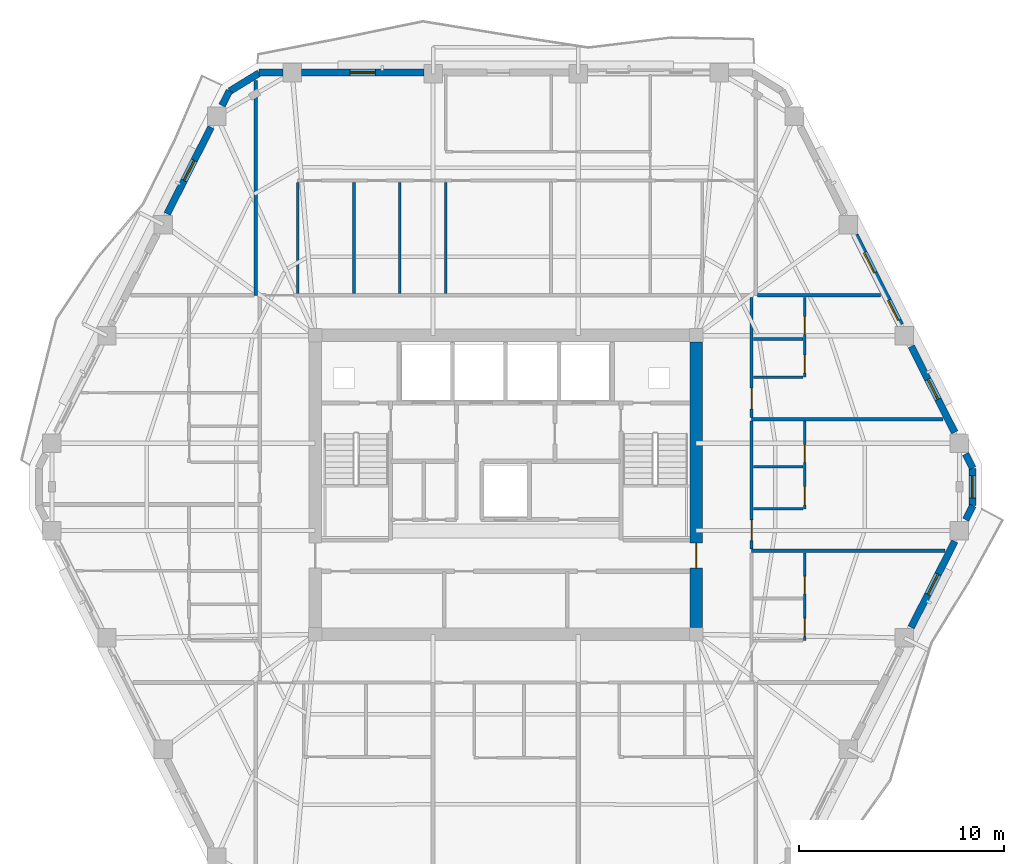
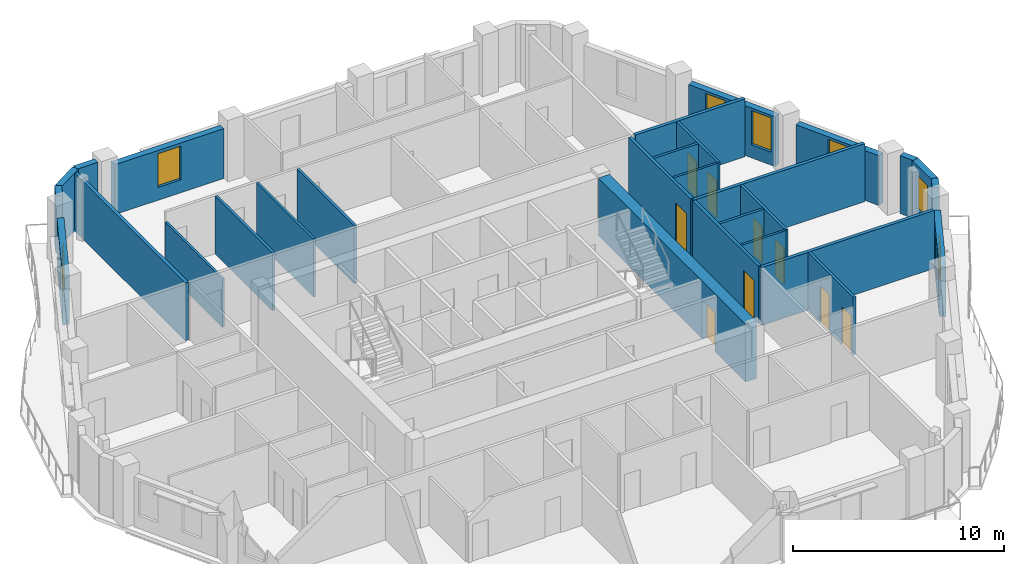
# One storey, part 7 of 12: 29 walls, 9 doors, 7 windows, 16 openings.
"""IFC4 building model written with IfcOpenShell, lengths in metres."""

import ifcopenshell
import ifcopenshell.guid

model = None  # the IFC model being written
_history = None  # IfcOwnerHistory: only IFC2X3 demands one
_inside = {}  # id of a spatial element -> (the spatial element, [elements in it])
_under = {}  # id of a project, library or spatial element -> (it, [spatial elements below it])
_declared = {}  # id of a project -> (the project, [libraries it declares])
_typed = {}  # id of a type object -> (the type object, [elements of that type])
_made_of = {}  # id of a material, layer set ... -> (it, [elements and type objects made of it])


def new_model(schema):
    """Start an empty IFC model of exactly this schema.

    Asked for "IFC4X3", IfcOpenShell would pick the latest addendum, in which some entities
    have other attributes; the version numbers below select the first issue.
    IFC2X3 requires an IfcOwnerHistory on every rooted entity: one is made here for all.
    """
    global model, _history
    if schema == "IFC4X3":
        model = ifcopenshell.file(schema_version=(4, 3, 0, 0))
    else:
        model = ifcopenshell.file(schema=schema)
    _inside.clear()
    _under.clear()
    _declared.clear()
    _typed.clear()
    _made_of.clear()
    _history = None
    if model.schema == "IFC2X3":
        org = make("IfcOrganization", Name="unknown")
        user = make(
            "IfcPersonAndOrganization",
            ThePerson=make("IfcPerson", FamilyName="unknown"),
            TheOrganization=org,
        )
        app = make(
            "IfcApplication",
            ApplicationDeveloper=org,
            Version="unknown",
            ApplicationFullName="unknown",
            ApplicationIdentifier="unknown",
        )
        _history = make(
            "IfcOwnerHistory",
            OwningUser=user,
            OwningApplication=app,
            ChangeAction="ADDED",
            CreationDate=0,
        )
    return model


def make(cls, **values):
    """One entity of the class cls with the attributes given. An attribute that is None is left unset."""
    return model.create_entity(
        cls, **{name: value for name, value in values.items() if value is not None}
    )


def rooted(cls, **values):
    """An entity with a GlobalId (a new one), such as an element, a storey or a relation."""
    return make(cls, GlobalId=ifcopenshell.guid.new(), OwnerHistory=_history, **values)


def si_unit(unit_type, name, prefix=None):
    """IfcSIUnit, for example si_unit("LENGTHUNIT", "METRE", prefix="MILLI")."""
    return make("IfcSIUnit", UnitType=unit_type, Prefix=prefix, Name=name)


def assignment(units):
    """IfcUnitAssignment: the units of a project."""
    return None if units is None else make("IfcUnitAssignment", Units=units)


def point(xyz):
    """IfcCartesianPoint."""
    return None if xyz is None else make("IfcCartesianPoint", Coordinates=xyz)


def direction(xyz):
    """IfcDirection."""
    return None if xyz is None else make("IfcDirection", DirectionRatios=xyz)


def frame(location, z_axis=None, x_axis=None):
    """IfcAxis2Placement3D, a coordinate frame: its origin and axes. An axis left out is left unset."""
    return make(
        "IfcAxis2Placement3D",
        Location=point(location),
        Axis=direction(z_axis),
        RefDirection=direction(x_axis),
    )


def frame_2d(location, x_axis=None):
    """IfcAxis2Placement2D, a coordinate frame in the plane: its origin and x axis."""
    return make(
        "IfcAxis2Placement2D", Location=point(location), RefDirection=direction(x_axis)
    )


def origin():
    """The frame at (0, 0, 0) with its axes left unset."""
    return frame((0.0, 0.0, 0.0))


def place(relative_to, where):
    """IfcLocalPlacement: puts the frame where relative to a parent placement (None: the world)."""
    return make(
        "IfcLocalPlacement", PlacementRelTo=relative_to, RelativePlacement=where
    )


def context(
    kind, dimensions, precision=None, world=None, true_north=None, identifier=None
):
    """IfcGeometricRepresentationContext, for example the 3D "Model" context."""
    return make(
        "IfcGeometricRepresentationContext",
        ContextIdentifier=identifier,
        ContextType=kind,
        CoordinateSpaceDimension=dimensions,
        Precision=precision,
        WorldCoordinateSystem=world,
        TrueNorth=true_north,
    )


def subcontext(parent, identifier, kind, view, scale=None):
    """IfcGeometricRepresentationSubContext, for example "Body" below "Model"."""
    return make(
        "IfcGeometricRepresentationSubContext",
        ContextIdentifier=identifier,
        ContextType=kind,
        ParentContext=parent,
        TargetScale=scale,
        TargetView=view,
    )


def project(units=None, contexts=None):
    """IfcProject with its units and contexts."""
    return rooted(
        "IfcProject",
        Name="project",
        RepresentationContexts=contexts,
        UnitsInContext=assignment(units),
    )


def spatial(cls, under=None, at=None, **own):
    """A site, building, storey or space (cls), placed at a placement, below another one or the project."""
    s = rooted(cls, ObjectPlacement=at, **own)
    if under is not None:
        _under.setdefault(under.id(), (under, []))[1].append(s)
    return s


def profile(cls, at=None, kind="AREA", **sizes):
    """A parametric profile (cls). Its sizes go by their IFC names, for example OverallWidth=200.0."""
    return make(cls, ProfileType=kind, Position=at, **sizes)


def rectangle(**sizes):
    """IfcRectangleProfileDef."""
    return profile("IfcRectangleProfileDef", **sizes)


def extrude(swept, where, along, depth):
    """IfcExtrudedAreaSolid: the profile swept, set in the frame where, extruded along a direction by depth."""
    return make(
        "IfcExtrudedAreaSolid",
        SweptArea=swept,
        Position=where,
        ExtrudedDirection=direction(along),
        Depth=depth,
    )


def shape(context_of_items, identifier, shape_type, items):
    """IfcShapeRepresentation: the items that make up one representation, for example the "Body"."""
    return make(
        "IfcShapeRepresentation",
        ContextOfItems=context_of_items,
        RepresentationIdentifier=identifier,
        RepresentationType=shape_type,
        Items=items,
    )


def material(Name=None, Category=None):
    """IfcMaterial."""
    return make("IfcMaterial", Name=Name, Category=Category)


def layer(
    of_material, thickness, ventilated=None, Name=None, Category=None, Priority=None
):
    """IfcMaterialLayer: one layer of a wall or slab, of a material (None: an air gap)."""
    return make(
        "IfcMaterialLayer",
        Material=of_material,
        LayerThickness=thickness,
        IsVentilated=ventilated,
        Name=Name,
        Category=Category,
        Priority=Priority,
    )


def layer_set(layers, Name=None):
    """IfcMaterialLayerSet."""
    return make("IfcMaterialLayerSet", MaterialLayers=layers, LayerSetName=Name)


def made_of(thing, what):
    """Note that an element or type object is made of a material, layer set ...; save() writes the relation."""
    if what is not None:
        _made_of.setdefault(what.id(), (what, []))[1].append(thing)
    return thing


def type_object(cls, material=None, **own):
    """A type object (cls), such as IfcWallType, which elements share."""
    return made_of(rooted(cls, **own), material)


def element(
    cls,
    number,
    at=None,
    inside=None,
    cuts=None,
    type_object=None,
    material=None,
    context=None,
    identifier="Body",
    shape_type=None,
    held_by="IfcProductDefinitionShape",
    body=None,
    shapes=None,
    **own,
):
    """One element of the class cls, such as IfcWall. Its Tag is "e" and its number.

    at: its placement. inside: the storey or other place that contains it. cuts: it is an
    opening in that element (IfcRelVoidsElement). A single representation is given by context,
    identifier, shape_type and body (its items); several are given by shapes. held_by: the class
    of the entity that holds the representations. save() writes the other relations.
    """
    e = rooted(cls, Tag="e%d" % number, ObjectPlacement=at, **own)
    if body is not None:
        shapes = [shape(context, identifier, shape_type, body)]
    if shapes is not None:
        e.Representation = make(held_by, Representations=shapes)
    if inside is not None:
        _inside.setdefault(inside.id(), (inside, []))[1].append(e)
    if cuts is not None:
        rooted(
            "IfcRelVoidsElement", RelatingBuildingElement=cuts, RelatedOpeningElement=e
        )
    if type_object is not None:
        _typed.setdefault(type_object.id(), (type_object, []))[1].append(e)
    return made_of(e, material)


def fill(opening, filler):
    """IfcRelFillsElement: the door or window that sits in an opening."""
    return rooted(
        "IfcRelFillsElement",
        RelatingOpeningElement=opening,
        RelatedBuildingElement=filler,
    )


def aggregate(whole, parts):
    """IfcRelAggregates: a whole, such as a stair, and the parts it consists of."""
    return rooted("IfcRelAggregates", RelatingObject=whole, RelatedObjects=parts)


def save(model, path):
    """Write the relations noted so far, then the file.

    IfcRelAggregates (storeys below a building ...), IfcRelContainedInSpatialStructure (elements
    in a storey), IfcRelDefinesByType, IfcRelAssociatesMaterial and IfcRelDeclares: one each for
    every whole, place, type object, material and project.
    """
    for whole, parts in _under.values():
        aggregate(whole, parts)
    for where, things in _inside.values():
        rooted(
            "IfcRelContainedInSpatialStructure",
            RelatedElements=things,
            RelatingStructure=where,
        )
    for kind, things in _typed.values():
        rooted("IfcRelDefinesByType", RelatedObjects=things, RelatingType=kind)
    for what, things in _made_of.values():
        rooted("IfcRelAssociatesMaterial", RelatedObjects=things, RelatingMaterial=what)
    for by, libraries in _declared.values():
        rooted("IfcRelDeclares", RelatingContext=by, RelatedDefinitions=libraries)
    model.write(path)


model = new_model("IFC4")

# Units and contexts
model_context = context("Model", 3, precision=1e-05, world=origin(), true_north=direction((0.0, 1.0)))
body_context = subcontext(model_context, "Body", "Model", "MODEL_VIEW")
ifc_project = project(units=[si_unit("LENGTHUNIT", "METRE"), si_unit("AREAUNIT", "SQUARE_METRE"), si_unit("VOLUMEUNIT", "CUBIC_METRE"), si_unit("PLANEANGLEUNIT", "RADIAN"), si_unit("MASSUNIT", "GRAM", prefix="KILO")], contexts=[model_context])

# Site, building, storey
site_placement = place(None, origin())
site = spatial("IfcSite", under=ifc_project, at=site_placement, CompositionType="ELEMENT")
building_placement = place(site_placement, origin())
building = spatial("IfcBuilding", under=site, at=building_placement, Name="Cinnabar Lancet Tower", CompositionType="ELEMENT")
storey_placement = place(building_placement, frame((0.0, 0.0, 186.10009765625)))
storey = spatial("IfcBuildingStorey", under=building, at=storey_placement, Name="L49", CompositionType="ELEMENT", Elevation=186.10009765625)

# Wall, opening, door
ifc_material_1 = material(Name="Acoustic twin-stud gypsum partition", Category="gypsum")
ifc_layer_1 = layer(ifc_material_1, 0.159912109375)
ifc_layer_set_1 = layer_set([ifc_layer_1], Name="Acoustic twin-stud gypsum partition")
wall_type_1 = type_object("IfcWallType", Name="ARC-WL-CORR-160", PredefinedType="PARTITIONING", material=ifc_layer_set_1)
wall_1_placement = place(storey_placement, frame((44.39990234375, 22.77099609375, 0.0), z_axis=(0.0, 0.0, 1.0), x_axis=(0.0, 1.0, 0.0)))
wall_1 = element("IfcWall", 1, at=wall_1_placement, inside=storey, type_object=wall_type_1, Name="UW-L49-E02-COR", PredefinedType="PARTITIONING", context=body_context, shape_type="SweptSolid", body=[
    extrude(rectangle(XDim=6.236083984375, YDim=0.159912109375, at=frame_2d((3.1181640625, 0.0))), origin(), (0.0, 0.0, 1.0), 3.349853515625),
])
opening_1_placement = place(wall_1_placement, frame((0.39990234375, 0.0, 0.0)))
opening_1 = element("IfcOpeningElement", 2, at=opening_1_placement, cuts=wall_1, Name="Opening UD-01", PredefinedType="OPENING", context=body_context, shape_type="SweptSolid", body=[
    extrude(rectangle(XDim=1.02001953125, YDim=2.25, at=frame_2d((0.510009765625, 1.125))), frame((0.0, 0.08984375, 0.0), z_axis=(0.0, -1.0, 0.0), x_axis=(1.0, 0.0, 0.0)), (0.0, 0.0, 1.0), 0.179931640625),
])
ifc_material_2 = material(Name="Solid timber fire-rated apartment entrance door", Category="wood")
door_type_1 = type_object("IfcDoorType", Name="ARC-DR-UNIT", OperationType="NOTDEFINED", PredefinedType="DOOR", material=ifc_material_2)
door_1_placement = place(opening_1_placement, origin())
door_1 = element("IfcDoor", 3, at=door_1_placement, inside=storey, type_object=door_type_1, Name="DR-L49-E02-ENT", OperationType="SINGLE_SWING_LEFT", OverallHeight=2.25, OverallWidth=1.02001953125, PredefinedType="DOOR", context=body_context, shape_type="SweptSolid", body=[
    extrude(rectangle(XDim=1.02001953125, YDim=2.25, at=frame_2d((0.510009765625, 1.125))), frame((0.0, 0.02490234375, 0.0), z_axis=(0.0, -1.0, 0.0), x_axis=(1.0, 0.0, 0.0)), (0.0, 0.0, 1.0), 0.050048828125),
])
fill(opening_1, door_1)

wall_2_placement = place(storey_placement, frame((44.39990234375, 29.197021484375, 0.0), z_axis=(0.0, 0.0, 1.0), x_axis=(0.0, 1.0, 0.0)))
wall_2 = element("IfcWall", 4, at=wall_2_placement, inside=storey, type_object=wall_type_1, Name="UW-L49-E03-COR", PredefinedType="PARTITIONING", context=body_context, shape_type="SweptSolid", body=[
    extrude(rectangle(XDim=5.85791015625, YDim=0.159912109375, at=frame_2d((2.928955078125, 0.0))), origin(), (0.0, 0.0, 1.0), 3.349853515625),
])
opening_2_placement = place(wall_2_placement, frame((0.39990234375, 0.0, 0.0)))
opening_2 = element("IfcOpeningElement", 5, at=opening_2_placement, cuts=wall_2, Name="Opening UD-01", PredefinedType="OPENING", context=body_context, shape_type="SweptSolid", body=[
    extrude(rectangle(XDim=1.02001953125, YDim=2.25, at=frame_2d((0.510009765625, 1.125))), frame((0.0, 0.08984375, 0.0), z_axis=(0.0, -1.0, 0.0), x_axis=(1.0, 0.0, 0.0)), (0.0, 0.0, 1.0), 0.179931640625),
])
door_2_placement = place(opening_2_placement, origin())
door_2 = element("IfcDoor", 6, at=door_2_placement, inside=storey, type_object=door_type_1, Name="DR-L49-E03-ENT", OperationType="SINGLE_SWING_RIGHT", OverallHeight=2.25, OverallWidth=1.02001953125, PredefinedType="DOOR", context=body_context, shape_type="SweptSolid", body=[
    extrude(rectangle(XDim=1.02001953125, YDim=2.25, at=frame_2d((0.510009765625, 1.125))), frame((0.0, 0.02490234375, 0.0), z_axis=(0.0, -1.0, 0.0), x_axis=(1.0, 0.0, 0.0)), (0.0, 0.0, 1.0), 0.050048828125),
])
fill(opening_2, door_2)

# Walls
ifc_material_3 = material(Name="Fire-rated twin-frame acoustic drywall", Category="gypsum")
ifc_layer_2 = layer(ifc_material_3, 0.179931640625)
ifc_layer_set_2 = layer_set([ifc_layer_2], Name="Fire-rated twin-frame acoustic drywall")
wall_type_2 = type_object("IfcWallType", Name="ARC-WL-PARTY-180", PredefinedType="PARTITIONING", material=ifc_layer_set_2)
wall_3_placement = place(storey_placement, frame((20.199951171875, 35.14990234375, 0.0), z_axis=(0.0, 0.0, 1.0), x_axis=(0.0, 1.0, 0.0)))
element("IfcWall", 7, at=wall_3_placement, inside=storey, type_object=wall_type_2, Name="PW-L49-NPTY-202", PredefinedType="PARTITIONING", context=body_context, shape_type="SweptSolid", body=[
    extrude(rectangle(XDim=10.482177734375, YDim=0.179931640625, at=frame_2d((5.2412109375, 0.0))), origin(), (0.0, 0.0, 1.0), 3.349853515625),
])
wall_4_placement = place(storey_placement, frame((44.695068359375, 35.14990234375, 0.0), z_axis=(0.0, 0.0, 1.0), x_axis=(1.0, 0.0, 0.0)))
element("IfcWall", 8, at=wall_4_placement, inside=storey, type_object=wall_type_2, Name="PW-L49-ENB", PredefinedType="PARTITIONING", context=body_context, shape_type="SweptSolid", body=[
    extrude(rectangle(XDim=5.994873046875, YDim=0.179931640625, at=frame_2d((2.99755859375, 0.0))), origin(), (0.0, 0.0, 1.0), 3.349853515625),
])
wall_5_placement = place(storey_placement, frame((44.39990234375, 22.676025390625, 0.0), z_axis=(0.0, 0.0, 1.0), x_axis=(1.0, 0.0, 0.0)))
element("IfcWall", 9, at=wall_5_placement, inside=storey, type_object=wall_type_2, Name="PW-L49-EPTY-1", PredefinedType="PARTITIONING", context=body_context, shape_type="SweptSolid", body=[
    extrude(rectangle(XDim=9.440185546875, YDim=0.179931640625, at=frame_2d((4.72021484375, 0.0))), origin(), (0.0, 0.0, 1.0), 3.349853515625),
])
wall_6_placement = place(storey_placement, frame((44.39990234375, 29.10205078125, 0.0), z_axis=(0.0, 0.0, 1.0), x_axis=(1.0, 0.0, 0.0)))
element("IfcWall", 10, at=wall_6_placement, inside=storey, type_object=wall_type_2, Name="PW-L49-EPTY-2", PredefinedType="PARTITIONING", context=body_context, shape_type="SweptSolid", body=[
    extrude(rectangle(XDim=9.35009765625, YDim=0.179931640625, at=frame_2d((4.675048828125, 0.0))), origin(), (0.0, 0.0, 1.0), 3.349853515625),
])
ifc_material_4 = material(Name="Gypsum plasterboard stud partition", Category="gypsum")
ifc_layer_3 = layer(ifc_material_4, 0.125)
ifc_layer_set_3 = layer_set([ifc_layer_3], Name="Gypsum plasterboard stud partition")
wall_type_3 = type_object("IfcWallType", Name="ARC-WL-UNIT-125", PredefinedType="PARTITIONING", material=ifc_layer_set_3)
wall_7_placement = place(storey_placement, frame((22.25, 35.235107421875, 0.0), z_axis=(0.0, 0.0, 1.0), x_axis=(0.0, 1.0, 0.0)))
element("IfcWall", 11, at=wall_7_placement, inside=storey, type_object=wall_type_3, Name="UW-L49-N01-FOYE", PredefinedType="PARTITIONING", context=body_context, shape_type="SweptSolid", body=[
    extrude(rectangle(XDim=5.413818359375, YDim=0.125, at=frame_2d((2.70703125, 0.0))), origin(), (0.0, 0.0, 1.0), 2.806884765625),
])
wall_8_placement = place(storey_placement, frame((27.23291015625, 35.235107421875, 0.0), z_axis=(0.0, 0.0, 1.0), x_axis=(0.0, 1.0, 0.0)))
element("IfcWall", 12, at=wall_8_placement, inside=storey, type_object=wall_type_3, Name="UW-L49-N01-STD", PredefinedType="PARTITIONING", context=body_context, shape_type="SweptSolid", body=[
    extrude(rectangle(XDim=5.413818359375, YDim=0.125, at=frame_2d((2.70703125, 0.0))), origin(), (0.0, 0.0, 1.0), 3.349853515625),
])
for number, where, z_axis, x_axis, name in (
    (13, (44.485107421875, 24.72607421875, 0.0), (0.0, 0.0, 1.0), (1.0, 0.0, 0.0), "UW-L49-E02-FOYN"),
    (14, (44.485107421875, 31.152099609375, 0.0), (0.0, 0.0, 1.0), (1.0, 0.0, 0.0), "UW-L49-E03-FOYN"),
):
    element("IfcWall", number, at=place(storey_placement, frame(where, z_axis=z_axis, x_axis=x_axis)), inside=storey, type_object=wall_type_3, Name=name, PredefinedType="PARTITIONING", context=body_context, shape_type="SweptSolid", body=[
        extrude(rectangle(XDim=2.429931640625, YDim=0.125, at=frame_2d((1.21484375, 0.0))), origin(), (0.0, 0.0, 1.0), 3.349853515625),
    ])
ifc_material_5 = material(Name="Moisture-resistant cement-board plumbing wall", Category="masonry")
ifc_layer_4 = layer(ifc_material_5, 0.139892578125)
ifc_layer_set_4 = layer_set([ifc_layer_4], Name="Moisture-resistant cement-board plumbing wall")
wall_type_4 = type_object("IfcWallType", Name="ARC-WL-WET-140", PredefinedType="PLUMBINGWALL", material=ifc_layer_set_4)
for number, where, z_axis, x_axis, name in (
    (15, (24.993896484375, 35.235107421875, 0.0), (0.0, 0.0, 1.0), (0.0, 1.0, 0.0), "UW-L49-N01-KDV"),
    (16, (29.471923828125, 35.235107421875, 0.0), (0.0, 0.0, 1.0), (0.0, 1.0, 0.0), "UW-L49-N01-ENSW"),
):
    element("IfcWall", number, at=place(storey_placement, frame(where, z_axis=z_axis, x_axis=x_axis)), inside=storey, type_object=wall_type_4, Name=name, PredefinedType="PLUMBINGWALL", context=body_context, shape_type="SweptSolid", body=[
        extrude(rectangle(XDim=5.413818359375, YDim=0.139892578125, at=frame_2d((2.70703125, 0.0))), origin(), (0.0, 0.0, 1.0), 3.349853515625),
    ])

# Wall, openings, doors
wall_9_placement = place(storey_placement, frame((47.0, 18.300048828125, 0.0), z_axis=(0.0, 0.0, 1.0), x_axis=(0.0, 1.0, 0.0)))
wall_9 = element("IfcWall", 17, at=wall_9_placement, inside=storey, type_object=wall_type_4, Name="UW-L49-E01-SPL", PredefinedType="PLUMBINGWALL", context=body_context, shape_type="SweptSolid", body=[
    extrude(rectangle(XDim=4.281005859375, YDim=0.139892578125, at=frame_2d((2.140625, 0.0))), origin(), (0.0, 0.0, 1.0), 3.349853515625),
])
opening_3_placement = place(wall_9_placement, frame((2.27490234375, 0.0, 0.0)))
opening_3 = element("IfcOpeningElement", 18, at=opening_3_placement, cuts=wall_9, Name="Opening BD-01", PredefinedType="OPENING", context=body_context, shape_type="SweptSolid", body=[
    extrude(rectangle(XDim=0.860107421875, YDim=2.10009765625, at=frame_2d((0.43017578125, 1.050048828125))), frame((0.0, 0.079833984375, 0.0), z_axis=(0.0, -1.0, 0.0), x_axis=(1.0, 0.0, 0.0)), (0.0, 0.0, 1.0), 0.159912109375),
])
opening_4_placement = place(wall_9_placement, frame((0.199951171875, 0.0, 0.0)))
opening_4 = element("IfcOpeningElement", 19, at=opening_4_placement, cuts=wall_9, Name="Opening RD-02", PredefinedType="OPENING", context=body_context, shape_type="SweptSolid", body=[
    extrude(rectangle(XDim=0.8798828125, YDim=2.14990234375, at=frame_2d((0.43994140625, 1.074951171875))), frame((0.0, 0.079833984375, 0.0), z_axis=(0.0, -1.0, 0.0), x_axis=(1.0, 0.0, 0.0)), (0.0, 0.0, 1.0), 0.159912109375),
])
ifc_material_6 = material(Name="Moisture-resistant timber bathroom door", Category="wood")
door_type_2 = type_object("IfcDoorType", Name="ARC-DR-BATH", OperationType="NOTDEFINED", PredefinedType="DOOR", material=ifc_material_6)
door_3_placement = place(opening_3_placement, origin())
door_3 = element("IfcDoor", 20, at=door_3_placement, inside=storey, type_object=door_type_2, Name="DR-L49-E01-BTH", OperationType="SINGLE_SWING_RIGHT", OverallHeight=2.10009765625, OverallWidth=0.860107421875, PredefinedType="DOOR", context=body_context, shape_type="SweptSolid", body=[
    extrude(rectangle(XDim=0.860107421875, YDim=2.10009765625, at=frame_2d((0.43017578125, 1.050048828125))), frame((0.0, 0.02490234375, 0.0), z_axis=(0.0, -1.0, 0.0), x_axis=(1.0, 0.0, 0.0)), (0.0, 0.0, 1.0), 0.050048828125),
])
fill(opening_3, door_3)
ifc_material_7 = material(Name="Engineered timber study door", Category="wood")
door_type_3 = type_object("IfcDoorType", Name="ARC-DR-STUDY", OperationType="NOTDEFINED", PredefinedType="DOOR", material=ifc_material_7)
door_4_placement = place(opening_4_placement, origin())
door_4 = element("IfcDoor", 21, at=door_4_placement, inside=storey, type_object=door_type_3, Name="DR-L49-E01-KIT", OperationType="SINGLE_SWING_LEFT", OverallHeight=2.14990234375, OverallWidth=0.8798828125, PredefinedType="DOOR", context=body_context, shape_type="SweptSolid", body=[
    extrude(rectangle(XDim=0.8798828125, YDim=2.14990234375, at=frame_2d((0.43994140625, 1.074951171875))), frame((0.0, 0.02490234375, 0.0), z_axis=(0.0, -1.0, 0.0), x_axis=(1.0, 0.0, 0.0)), (0.0, 0.0, 1.0), 0.050048828125),
])
fill(opening_4, door_4)

wall_10_placement = place(storey_placement, frame((47.0, 24.72607421875, 0.0), z_axis=(0.0, 0.0, 1.0), x_axis=(0.0, 1.0, 0.0)))
wall_10 = element("IfcWall", 22, at=wall_10_placement, inside=storey, type_object=wall_type_4, Name="UW-L49-E02-SPL", PredefinedType="PLUMBINGWALL", context=body_context, shape_type="SweptSolid", body=[
    extrude(rectangle(XDim=4.281005859375, YDim=0.139892578125, at=frame_2d((2.140625, 0.0))), origin(), (0.0, 0.0, 1.0), 3.349853515625),
])
opening_5_placement = place(wall_10_placement, frame((2.27490234375, 0.0, 0.0)))
opening_5 = element("IfcOpeningElement", 23, at=opening_5_placement, cuts=wall_10, Name="Opening BD-01", PredefinedType="OPENING", context=body_context, shape_type="SweptSolid", body=[
    extrude(rectangle(XDim=0.860107421875, YDim=2.10009765625, at=frame_2d((0.43017578125, 1.050048828125))), frame((0.0, 0.079833984375, 0.0), z_axis=(0.0, -1.0, 0.0), x_axis=(1.0, 0.0, 0.0)), (0.0, 0.0, 1.0), 0.159912109375),
])
opening_6_placement = place(wall_10_placement, frame((0.199951171875, 0.0, 0.0)))
opening_6 = element("IfcOpeningElement", 24, at=opening_6_placement, cuts=wall_10, Name="Opening RD-02", PredefinedType="OPENING", context=body_context, shape_type="SweptSolid", body=[
    extrude(rectangle(XDim=0.8798828125, YDim=2.14990234375, at=frame_2d((0.43994140625, 1.074951171875))), frame((0.0, 0.079833984375, 0.0), z_axis=(0.0, -1.0, 0.0), x_axis=(1.0, 0.0, 0.0)), (0.0, 0.0, 1.0), 0.159912109375),
])
door_5_placement = place(opening_5_placement, origin())
door_5 = element("IfcDoor", 25, at=door_5_placement, inside=storey, type_object=door_type_2, Name="DR-L49-E02-BTH", OperationType="SINGLE_SWING_LEFT", OverallHeight=2.10009765625, OverallWidth=0.860107421875, PredefinedType="DOOR", context=body_context, shape_type="SweptSolid", body=[
    extrude(rectangle(XDim=0.860107421875, YDim=2.10009765625, at=frame_2d((0.43017578125, 1.050048828125))), frame((0.0, 0.02490234375, 0.0), z_axis=(0.0, -1.0, 0.0), x_axis=(1.0, 0.0, 0.0)), (0.0, 0.0, 1.0), 0.050048828125),
])
fill(opening_5, door_5)
door_6_placement = place(opening_6_placement, origin())
door_6 = element("IfcDoor", 26, at=door_6_placement, inside=storey, type_object=door_type_3, Name="DR-L49-E02-KIT", OperationType="SINGLE_SWING_RIGHT", OverallHeight=2.14990234375, OverallWidth=0.8798828125, PredefinedType="DOOR", context=body_context, shape_type="SweptSolid", body=[
    extrude(rectangle(XDim=0.8798828125, YDim=2.14990234375, at=frame_2d((0.43994140625, 1.074951171875))), frame((0.0, 0.02490234375, 0.0), z_axis=(0.0, -1.0, 0.0), x_axis=(1.0, 0.0, 0.0)), (0.0, 0.0, 1.0), 0.050048828125),
])
fill(opening_6, door_6)

# Wall
wall_11_placement = place(storey_placement, frame((44.485107421875, 26.781005859375, 0.0), z_axis=(0.0, 0.0, 1.0), x_axis=(1.0, 0.0, 0.0)))
element("IfcWall", 27, at=wall_11_placement, inside=storey, type_object=wall_type_4, Name="UW-L49-E02-KDV", PredefinedType="PLUMBINGWALL", context=body_context, shape_type="SweptSolid", body=[
    extrude(rectangle(XDim=2.429931640625, YDim=0.139892578125, at=frame_2d((1.21484375, 0.0))), origin(), (0.0, 0.0, 1.0), 3.349853515625),
])

# Wall, openings, doors
wall_12_placement = place(storey_placement, frame((47.0, 31.152099609375, 0.0), z_axis=(0.0, 0.0, 1.0), x_axis=(0.0, 1.0, 0.0)))
wall_12 = element("IfcWall", 28, at=wall_12_placement, inside=storey, type_object=wall_type_4, Name="UW-L49-E03-SPL", PredefinedType="PLUMBINGWALL", context=body_context, shape_type="SweptSolid", body=[
    extrude(rectangle(XDim=3.90283203125, YDim=0.139892578125, at=frame_2d((1.951416015625, 0.0))), origin(), (0.0, 0.0, 1.0), 3.349853515625),
])
opening_7_placement = place(wall_12_placement, frame((2.093017578125, 0.0, 0.0)))
opening_7 = element("IfcOpeningElement", 29, at=opening_7_placement, cuts=wall_12, Name="Opening BD-01", PredefinedType="OPENING", context=body_context, shape_type="SweptSolid", body=[
    extrude(rectangle(XDim=0.860107421875, YDim=2.10009765625, at=frame_2d((0.43017578125, 1.050048828125))), frame((0.0, 0.079833984375, 0.0), z_axis=(0.0, -1.0, 0.0), x_axis=(1.0, 0.0, 0.0)), (0.0, 0.0, 1.0), 0.159912109375),
])
opening_8_placement = place(wall_12_placement, frame((0.199951171875, 0.0, 0.0)))
opening_8 = element("IfcOpeningElement", 30, at=opening_8_placement, cuts=wall_12, Name="Opening RD-02", PredefinedType="OPENING", context=body_context, shape_type="SweptSolid", body=[
    extrude(rectangle(XDim=0.8798828125, YDim=2.14990234375, at=frame_2d((0.43994140625, 1.074951171875))), frame((0.0, 0.079833984375, 0.0), z_axis=(0.0, -1.0, 0.0), x_axis=(1.0, 0.0, 0.0)), (0.0, 0.0, 1.0), 0.159912109375),
])
door_7_placement = place(opening_7_placement, origin())
door_7 = element("IfcDoor", 31, at=door_7_placement, inside=storey, type_object=door_type_2, Name="DR-L49-E03-BTH", OperationType="SINGLE_SWING_RIGHT", OverallHeight=2.10009765625, OverallWidth=0.860107421875, PredefinedType="DOOR", context=body_context, shape_type="SweptSolid", body=[
    extrude(rectangle(XDim=0.860107421875, YDim=2.10009765625, at=frame_2d((0.43017578125, 1.050048828125))), frame((0.0, 0.02490234375, 0.0), z_axis=(0.0, -1.0, 0.0), x_axis=(1.0, 0.0, 0.0)), (0.0, 0.0, 1.0), 0.050048828125),
])
fill(opening_7, door_7)
door_8_placement = place(opening_8_placement, origin())
door_8 = element("IfcDoor", 32, at=door_8_placement, inside=storey, type_object=door_type_3, Name="DR-L49-E03-KIT", OperationType="SINGLE_SWING_LEFT", OverallHeight=2.14990234375, OverallWidth=0.8798828125, PredefinedType="DOOR", context=body_context, shape_type="SweptSolid", body=[
    extrude(rectangle(XDim=0.8798828125, YDim=2.14990234375, at=frame_2d((0.43994140625, 1.074951171875))), frame((0.0, 0.02490234375, 0.0), z_axis=(0.0, -1.0, 0.0), x_axis=(1.0, 0.0, 0.0)), (0.0, 0.0, 1.0), 0.050048828125),
])
fill(opening_8, door_8)

# Wall
wall_13_placement = place(storey_placement, frame((44.485107421875, 33.02490234375, 0.0), z_axis=(0.0, 0.0, 1.0), x_axis=(1.0, 0.0, 0.0)))
element("IfcWall", 33, at=wall_13_placement, inside=storey, type_object=wall_type_4, Name="UW-L49-E03-KDV", PredefinedType="PLUMBINGWALL", context=body_context, shape_type="SweptSolid", body=[
    extrude(rectangle(XDim=2.429931640625, YDim=0.139892578125, at=frame_2d((1.21484375, 0.0))), origin(), (0.0, 0.0, 1.0), 3.349853515625),
])

# Wall, opening, window
ifc_material_8 = material(Name="Cinnabar red clay brick", Category="masonry")
ifc_layer_5 = layer(ifc_material_8, 0.340087890625)
ifc_layer_set_5 = layer_set([ifc_layer_5], Name="Cinnabar red clay brick")
wall_type_5 = type_object("IfcWallType", Name="ENV-WL-BRK-RED-340", PredefinedType="STANDARD", material=ifc_layer_set_5)
wall_14_placement = place(storey_placement, frame((55.177978515625, 24.89208984375, 0.0), z_axis=(0.0, 0.0, 1.0), x_axis=(0.0, 1.0, 0.0)))
wall_14 = element("IfcWall", 34, at=wall_14_placement, inside=storey, type_object=wall_type_5, Name="L49 Chamfered Corner Brick Pier 3.1", PredefinedType="STANDARD", context=body_context, shape_type="SweptSolid", body=[
    extrude(rectangle(XDim=1.81591796875, YDim=0.340087890625, at=frame_2d((0.907958984375, 0.0))), origin(), (0.0, 0.0, 1.0), 3.349853515625),
])
opening_9_placement = place(wall_14_placement, frame((0.35791015625, 0.0, 0.75)))
opening_9 = element("IfcOpeningElement", 35, at=opening_9_placement, cuts=wall_14, Name="Opening WN-04", PredefinedType="OPENING", context=body_context, shape_type="SweptSolid", body=[
    extrude(rectangle(XDim=1.10009765625, YDim=2.0, at=frame_2d((0.550048828125, 1.0))), frame((0.0, 0.179931640625, 0.0), z_axis=(0.0, -1.0, 0.0), x_axis=(1.0, 0.0, 0.0)), (0.0, 0.0, 1.0), 0.360107421875),
])
ifc_material_9 = material(Name="Thermally broken bronze-anodized aluminium tall lancet window", Category="aluminium")
window_type_1 = type_object("IfcWindowType", Name="ENV-WN-LANCET-1100", PartitioningType="SINGLE_PANEL", PredefinedType="WINDOW", material=ifc_material_9)
window_1_placement = place(opening_9_placement, origin())
window_1 = element("IfcWindow", 36, at=window_1_placement, inside=storey, type_object=window_type_1, Name="L49 Dwelling Gothic Lancet Window 327", OverallHeight=2.0, OverallWidth=1.10009765625, PartitioningType="SINGLE_PANEL", PredefinedType="WINDOW", context=body_context, shape_type="SweptSolid", body=[
    extrude(rectangle(XDim=1.10009765625, YDim=2.0, at=frame_2d((0.550048828125, 1.0))), frame((0.0, 0.030029296875, 0.0), z_axis=(0.0, -1.0, 0.0), x_axis=(1.0, 0.0, 0.0)), (0.0, 0.0, 1.0), 0.06005859375),
])
fill(opening_9, window_1)

# Wall
wall_15_placement = place(storey_placement, frame((20.366943359375, 45.9951171875, 0.0), z_axis=(0.0, 0.0, 1.0), x_axis=(-0.851713271379, -0.524008113828, 0.0)))
element("IfcWall", 37, at=wall_15_placement, inside=storey, type_object=wall_type_5, Name="L49 Chamfered Corner Brick Pier 5.1", PredefinedType="STANDARD", context=body_context, shape_type="SweptSolid", body=[
    extrude(rectangle(XDim=1.677734375, YDim=0.340087890625, at=frame_2d((0.8388671875, 0.0))), origin(), (0.0, 0.0, 1.0), 3.349853515625),
])

# Wall, opening, window
wall_16_placement = place(storey_placement, frame((52.193115234375, 18.943115234375, 0.0), z_axis=(0.0, 0.0, 1.0), x_axis=(0.451447222193, 0.892297823361, 0.0)))
wall_16 = element("IfcWall", 38, at=wall_16_placement, inside=storey, type_object=wall_type_5, Name="L49 Face 2 Masonry Bay Wall 4", PredefinedType="STANDARD", context=body_context, shape_type="SweptSolid", body=[
    extrude(rectangle(XDim=4.699951171875, YDim=0.340087890625, at=frame_2d((2.35009765625, 0.0))), origin(), (0.0, 0.0, 1.0), 2.8828125),
])
opening_10_placement = place(wall_16_placement, frame((1.800048828125, 0.0, 0.75)))
opening_10 = element("IfcOpeningElement", 39, at=opening_10_placement, cuts=wall_16, Name="Opening WN-04", PredefinedType="OPENING", context=body_context, shape_type="SweptSolid", body=[
    extrude(rectangle(XDim=1.10009765625, YDim=1.98291015625, at=frame_2d((0.550048828125, 0.991455078125))), frame((0.0, 0.179931640625, 0.0), z_axis=(0.0, -1.0, 0.0), x_axis=(1.0, 0.0, 0.0)), (0.0, 0.0, 1.0), 0.360107421875),
])
window_2_placement = place(opening_10_placement, origin())
window_2 = element("IfcWindow", 40, at=window_2_placement, inside=storey, type_object=window_type_1, Name="L49 Face 2 Gothic Lancet Window 4", OverallHeight=1.98291015625, OverallWidth=1.10009765625, PartitioningType="SINGLE_PANEL", PredefinedType="WINDOW", context=body_context, shape_type="SweptSolid", body=[
    extrude(rectangle(XDim=1.10009765625, YDim=1.98291015625, at=frame_2d((0.550048828125, 0.991455078125))), frame((0.0, 0.030029296875, 0.0), z_axis=(0.0, -1.0, 0.0), x_axis=(1.0, 0.0, 0.0)), (0.0, 0.0, 1.0), 0.06005859375),
])
fill(opening_10, window_2)

# Walls
for number, where, z_axis, x_axis, name in (
    (41, (54.85107421875, 24.197021484375, 0.0), (0.0, 0.0, 1.0), (0.451262448184, 0.892391283496, 0.0), "L49 Face 2 Masonry Bay Wall 5"),
    (42, (55.198974609375, 26.715087890625, 0.0), (0.0, 0.0, 1.0), (-0.451262448184, 0.892391283496, 0.0), "L49 Face 3 Masonry Bay Wall 1"),
):
    element("IfcWall", number, at=place(storey_placement, frame(where, z_axis=z_axis, x_axis=x_axis)), inside=storey, type_object=wall_type_5, Name=name, PredefinedType="STANDARD", context=body_context, shape_type="SweptSolid", body=[
        extrude(rectangle(XDim=0.77099609375, YDim=0.340087890625, at=frame_2d((0.385498046875, 0.0))), origin(), (0.0, 0.0, 1.0), 3.349853515625),
    ])

# Wall, opening, window
wall_17_placement = place(storey_placement, frame((54.31494140625, 28.462890625, 0.0), z_axis=(0.0, 0.0, 1.0), x_axis=(-0.451426298588, 0.892308409096, 0.0)))
wall_17 = element("IfcWall", 43, at=wall_17_placement, inside=storey, type_object=wall_type_5, Name="L49 Face 3 Masonry Bay Wall 2", PredefinedType="STANDARD", context=body_context, shape_type="SweptSolid", body=[
    extrude(rectangle(XDim=4.7001953125, YDim=0.340087890625, at=frame_2d((2.35009765625, 0.0))), origin(), (0.0, 0.0, 1.0), 2.8828125),
])
opening_11_placement = place(wall_17_placement, frame((1.800048828125, 0.0, 0.75)))
opening_11 = element("IfcOpeningElement", 44, at=opening_11_placement, cuts=wall_17, Name="Opening WN-04", PredefinedType="OPENING", context=body_context, shape_type="SweptSolid", body=[
    extrude(rectangle(XDim=1.10009765625, YDim=1.98291015625, at=frame_2d((0.550048828125, 0.991455078125))), frame((0.0, 0.179931640625, 0.0), z_axis=(0.0, -1.0, 0.0), x_axis=(1.0, 0.0, 0.0)), (0.0, 0.0, 1.0), 0.360107421875),
])
window_3_placement = place(opening_11_placement, origin())
window_3 = element("IfcWindow", 45, at=window_3_placement, inside=storey, type_object=window_type_1, Name="L49 Face 3 Gothic Lancet Window 2", OverallHeight=1.98291015625, OverallWidth=1.10009765625, PartitioningType="SINGLE_PANEL", PredefinedType="WINDOW", context=body_context, shape_type="SweptSolid", body=[
    extrude(rectangle(XDim=1.10009765625, YDim=1.98291015625, at=frame_2d((0.550048828125, 0.991455078125))), frame((0.0, 0.030029296875, 0.0), z_axis=(0.0, -1.0, 0.0), x_axis=(1.0, 0.0, 0.0)), (0.0, 0.0, 1.0), 0.06005859375),
])
fill(opening_11, window_3)

# Wall, openings, windows
wall_18_placement = place(storey_placement, frame((51.6650390625, 33.701904296875, 0.0), z_axis=(0.0, 0.0, 1.0), x_axis=(-0.451524246964, 0.89225884944, 0.0)))
wall_18 = element("IfcWall", 46, at=wall_18_placement, inside=storey, type_object=wall_type_5, Name="L49 Face 3 Masonry Bay Wall 3", PredefinedType="STANDARD", context=body_context, shape_type="SweptSolid", body=[
    extrude(rectangle(XDim=4.91015625, YDim=0.340087890625, at=frame_2d((2.455078125, 0.0))), origin(), (0.0, 0.0, 1.0), 2.8828125),
])
opening_12_placement = place(wall_18_placement, frame((0.240966796875, 0.0, 0.75)))
opening_12 = element("IfcOpeningElement", 47, at=opening_12_placement, cuts=wall_18, Name="Opening WN-04", PredefinedType="OPENING", context=body_context, shape_type="SweptSolid", body=[
    extrude(rectangle(XDim=1.10009765625, YDim=1.98291015625, at=frame_2d((0.550048828125, 0.991455078125))), frame((0.0, 0.179931640625, 0.0), z_axis=(0.0, -1.0, 0.0), x_axis=(1.0, 0.0, 0.0)), (0.0, 0.0, 1.0), 0.360107421875),
])
opening_13_placement = place(wall_18_placement, frame((2.846923828125, 0.0, 0.75)))
opening_13 = element("IfcOpeningElement", 48, at=opening_13_placement, cuts=wall_18, Name="Opening WN-04", PredefinedType="OPENING", context=body_context, shape_type="SweptSolid", body=[
    extrude(rectangle(XDim=1.10009765625, YDim=1.98291015625, at=frame_2d((0.550048828125, 0.991455078125))), frame((0.0, 0.179931640625, 0.0), z_axis=(0.0, -1.0, 0.0), x_axis=(1.0, 0.0, 0.0)), (0.0, 0.0, 1.0), 0.360107421875),
])
window_4_placement = place(opening_12_placement, origin())
window_4 = element("IfcWindow", 49, at=window_4_placement, inside=storey, type_object=window_type_1, Name="L49 Face 3 Gothic Lancet Window 3", OverallHeight=1.98291015625, OverallWidth=1.10009765625, PartitioningType="SINGLE_PANEL", PredefinedType="WINDOW", context=body_context, shape_type="SweptSolid", body=[
    extrude(rectangle(XDim=1.10009765625, YDim=1.98291015625, at=frame_2d((0.550048828125, 0.991455078125))), frame((0.0, 0.030029296875, 0.0), z_axis=(0.0, -1.0, 0.0), x_axis=(1.0, 0.0, 0.0)), (0.0, 0.0, 1.0), 0.06005859375),
])
fill(opening_12, window_4)
window_5_placement = place(opening_13_placement, origin())
window_5 = element("IfcWindow", 50, at=window_5_placement, inside=storey, type_object=window_type_1, Name="L49 Split-Bay Gothic Lancet Window 154", OverallHeight=1.98291015625, OverallWidth=1.10009765625, PartitioningType="SINGLE_PANEL", PredefinedType="WINDOW", context=body_context, shape_type="SweptSolid", body=[
    extrude(rectangle(XDim=1.10009765625, YDim=1.98291015625, at=frame_2d((0.550048828125, 0.991455078125))), frame((0.0, 0.030029296875, 0.0), z_axis=(0.0, -1.0, 0.0), x_axis=(1.0, 0.0, 0.0)), (0.0, 0.0, 1.0), 0.06005859375),
])
fill(opening_13, window_5)

# Wall, opening, window
wall_19_placement = place(storey_placement, frame((28.403076171875, 46.02001953125, 0.0), z_axis=(0.0, 0.0, 1.0), x_axis=(-1.0, 0.0, 0.0)))
wall_19 = element("IfcWall", 51, at=wall_19_placement, inside=storey, type_object=wall_type_5, Name="L49 Face 4 Masonry Bay Wall 4", PredefinedType="STANDARD", context=body_context, shape_type="SweptSolid", body=[
    extrude(rectangle(XDim=5.969970703125, YDim=0.340087890625, at=frame_2d((2.98486328125, 0.0))), origin(), (0.0, 0.0, 1.0), 2.8828125),
])
opening_14_placement = place(wall_19_placement, frame((2.360107421875, 0.0, 0.75)))
opening_14 = element("IfcOpeningElement", 52, at=opening_14_placement, cuts=wall_19, Name="Opening WN-03", PredefinedType="OPENING", context=body_context, shape_type="SweptSolid", body=[
    extrude(rectangle(XDim=1.25, YDim=1.949951171875, at=frame_2d((0.625, 0.97509765625))), frame((0.0, 0.179931640625, 0.0), z_axis=(0.0, -1.0, 0.0), x_axis=(1.0, 0.0, 0.0)), (0.0, 0.0, 1.0), 0.360107421875),
])
ifc_material_10 = material(Name="Thermally broken bronze-anodized aluminium low-E double glazing", Category="aluminium")
window_type_2 = type_object("IfcWindowType", Name="ENV-WN-LANCET-1250", PartitioningType="SINGLE_PANEL", PredefinedType="WINDOW", material=ifc_material_10)
window_6_placement = place(opening_14_placement, origin())
window_6 = element("IfcWindow", 53, at=window_6_placement, inside=storey, type_object=window_type_2, Name="L49 Face 4 Gothic Lancet Window 4", OverallHeight=1.949951171875, OverallWidth=1.25, PartitioningType="SINGLE_PANEL", PredefinedType="WINDOW", context=body_context, shape_type="SweptSolid", body=[
    extrude(rectangle(XDim=1.25, YDim=1.949951171875, at=frame_2d((0.625, 0.97509765625))), frame((0.0, 0.030029296875, 0.0), z_axis=(0.0, -1.0, 0.0), x_axis=(1.0, 0.0, 0.0)), (0.0, 0.0, 1.0), 0.06005859375),
])
fill(opening_14, window_6)

# Walls
wall_20_placement = place(storey_placement, frame((21.52490234375, 46.02001953125, 0.0), z_axis=(0.0, 0.0, 1.0), x_axis=(-1.0, 0.0, 0.0)))
element("IfcWall", 54, at=wall_20_placement, inside=storey, type_object=wall_type_5, Name="L49 Face 4 Masonry Bay Wall 5", PredefinedType="STANDARD", context=body_context, shape_type="SweptSolid", body=[
    extrude(rectangle(XDim=1.162841796875, YDim=0.340087890625, at=frame_2d((0.58154296875, 0.0))), origin(), (0.0, 0.0, 1.0), 3.349853515625),
])
wall_21_placement = place(storey_placement, frame((18.91796875, 45.132080078125, 0.0), z_axis=(0.0, 0.0, 1.0), x_axis=(-0.451691568309, -0.892174157392, 0.0)))
element("IfcWall", 55, at=wall_21_placement, inside=storey, type_object=wall_type_5, Name="L49 Face 5 Masonry Bay Wall 1", PredefinedType="STANDARD", context=body_context, shape_type="SweptSolid", body=[
    extrude(rectangle(XDim=0.805908203125, YDim=0.340087890625, at=frame_2d((0.40283203125, 0.0))), origin(), (0.0, 0.0, 1.0), 3.349853515625),
])

# Wall, opening, window
wall_22_placement = place(storey_placement, frame((18.01708984375, 43.35107421875, 0.0), z_axis=(0.0, 0.0, 1.0), x_axis=(-0.45150207307, -0.892270070109, 0.0)))
wall_22 = element("IfcWall", 56, at=wall_22_placement, inside=storey, type_object=wall_type_5, Name="L49 Face 5 Masonry Bay Wall 2", PredefinedType="STANDARD", context=body_context, shape_type="SweptSolid", body=[
    extrude(rectangle(XDim=4.73095703125, YDim=0.340087890625, at=frame_2d((2.365478515625, 0.0))), origin(), (0.0, 0.0, 1.0), 2.8828125),
])
opening_15_placement = place(wall_22_placement, frame((1.81494140625, 0.0, 0.75)))
opening_15 = element("IfcOpeningElement", 57, at=opening_15_placement, cuts=wall_22, Name="Opening WN-04", PredefinedType="OPENING", context=body_context, shape_type="SweptSolid", body=[
    extrude(rectangle(XDim=1.10009765625, YDim=1.98291015625, at=frame_2d((0.550048828125, 0.991455078125))), frame((0.0, 0.179931640625, 0.0), z_axis=(0.0, -1.0, 0.0), x_axis=(1.0, 0.0, 0.0)), (0.0, 0.0, 1.0), 0.360107421875),
])
window_7_placement = place(opening_15_placement, origin())
window_7 = element("IfcWindow", 58, at=window_7_placement, inside=storey, type_object=window_type_1, Name="L49 Face 5 Gothic Lancet Window 2", OverallHeight=1.98291015625, OverallWidth=1.10009765625, PartitioningType="SINGLE_PANEL", PredefinedType="WINDOW", context=body_context, shape_type="SweptSolid", body=[
    extrude(rectangle(XDim=1.10009765625, YDim=1.98291015625, at=frame_2d((0.550048828125, 0.991455078125))), frame((0.0, 0.030029296875, 0.0), z_axis=(0.0, -1.0, 0.0), x_axis=(1.0, 0.0, 0.0)), (0.0, 0.0, 1.0), 0.06005859375),
])
fill(opening_15, window_7)

# Wall, opening, door
ifc_material_11 = material(Name="Concrete C60/75", Category="concrete")
ifc_layer_6 = layer(ifc_material_11, 0.60009765625)
ifc_layer_set_6 = layer_set([ifc_layer_6], Name="Concrete C60/75")
wall_type_6 = type_object("IfcWallType", Name="STR-WL-CORE-600", PredefinedType="SHEAR", material=ifc_layer_set_6)
wall_23_placement = place(storey_placement, frame((41.699951171875, 18.925048828125, 0.0), z_axis=(0.0, 0.0, 1.0), x_axis=(0.0, 1.0, 0.0)))
wall_23 = element("IfcWall", 59, at=wall_23_placement, inside=storey, type_object=wall_type_6, Name="L49 Core Shear Wall E", PredefinedType="SHEAR", context=body_context, shape_type="SweptSolid", body=[
    extrude(rectangle(XDim=13.949951171875, YDim=0.60009765625, at=frame_2d((6.97509765625, 0.0))), origin(), (0.0, 0.0, 1.0), 3.349853515625),
])
opening_16_placement = place(wall_23_placement, frame((2.9150390625, 0.0, 0.0)))
opening_16 = element("IfcOpeningElement", 60, at=opening_16_placement, cuts=wall_23, Name="Opening FD-02", PredefinedType="OPENING", context=body_context, shape_type="SweptSolid", body=[
    extrude(rectangle(XDim=1.219970703125, YDim=2.25, at=frame_2d((0.60986328125, 1.125))), frame((0.0, 0.31005859375, 0.0), z_axis=(0.0, -1.0, 0.0), x_axis=(1.0, 0.0, 0.0)), (0.0, 0.0, 1.0), 0.6201171875),
])
ifc_material_12 = material(Name="Fire-rated double-vision core portal door", Category="wood")
door_type_4 = type_object("IfcDoorType", Name="ARC-DR-CPORT", OperationType="NOTDEFINED", PredefinedType="DOOR", material=ifc_material_12)
door_9_placement = place(opening_16_placement, origin())
door_9 = element("IfcDoor", 61, at=door_9_placement, inside=storey, type_object=door_type_4, Name="L49 East Core Lobby Fire Door", OperationType="SINGLE_SWING_LEFT", OverallHeight=2.25, OverallWidth=1.219970703125, PredefinedType="DOOR", context=body_context, shape_type="SweptSolid", body=[
    extrude(rectangle(XDim=1.219970703125, YDim=2.25, at=frame_2d((0.60986328125, 1.125))), frame((0.0, 0.02490234375, 0.0), z_axis=(0.0, -1.0, 0.0), x_axis=(1.0, 0.0, 0.0)), (0.0, 0.0, 1.0), 0.050048828125),
])
fill(opening_16, door_9)

save(model, "model.ifc")
